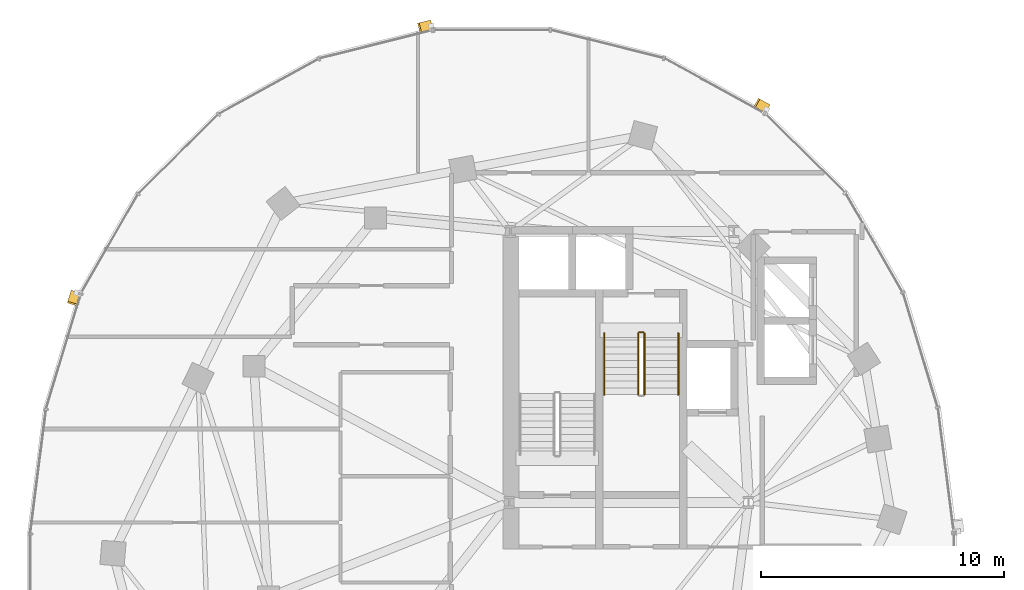
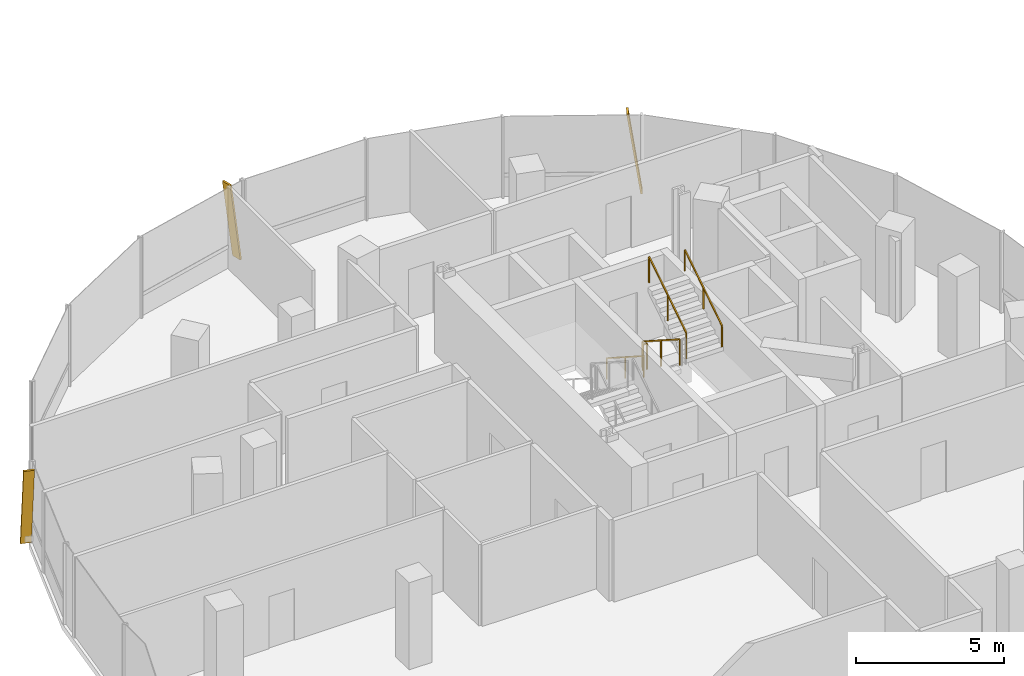
# One storey, part 20 of 22: 5 railings, 3 shading devices.
"""IFC4 building model written with IfcOpenShell, lengths in metres."""

from ifc_helpers import new_model, si_unit, direction, frame, origin, origin_2d, place, context, subcontext, project, spatial, rectangle, extrude, material, material_profile, profile_set, type_object, element, save


model = new_model("IFC4")

# Units and contexts
model_context = context("Model", 3, precision=1e-05, world=origin(), true_north=direction((0.0, 1.0)))
body_context = subcontext(model_context, "Body", "Model", "MODEL_VIEW")
ifc_project = project(units=[si_unit("LENGTHUNIT", "METRE"), si_unit("AREAUNIT", "SQUARE_METRE"), si_unit("VOLUMEUNIT", "CUBIC_METRE"), si_unit("PLANEANGLEUNIT", "RADIAN"), si_unit("MASSUNIT", "GRAM", prefix="KILO"), si_unit("THERMODYNAMICTEMPERATUREUNIT", "KELVIN"), si_unit("POWERUNIT", "WATT")], contexts=[model_context])

# Site, building, storey
site_placement = place(None, origin())
site = spatial("IfcSite", under=ifc_project, at=site_placement, CompositionType="ELEMENT")
building_placement = place(site_placement, origin())
building = spatial("IfcBuilding", under=site, at=building_placement, Name="Cundina Bronze Exchange", CompositionType="ELEMENT")
storey_placement = place(building_placement, frame((0.0, 0.0, 147.60009765625)))
storey = spatial("IfcBuildingStorey", under=building, at=storey_placement, Name="L38", CompositionType="ELEMENT", Elevation=147.60009765625)

# Railings
ifc_material_1 = material(Name="Steel ASTM A36 Painted", Category="steel")
railing_type_1 = type_object("IfcRailingType", Name="RLG-HND-900", PredefinedType="HANDRAIL", material=ifc_material_1)
railing_1_placement = place(storey_placement, frame((-27.389892578125, 10.85009765625, 0.179931640625)))
element("IfcRailing", 1, at=railing_1_placement, inside=storey, type_object=railing_type_1, Name="L38 ST-W2 stair handrail 1", PredefinedType="HANDRAIL", context=body_context, shape_type="SweptSolid", body=[
    extrude(rectangle(XDim=0.048095703125, YDim=0.048095703125, at=origin_2d()), frame((0.0, 0.0, 0.8759765625), z_axis=(0.0, -0.841199657755, 0.540724639528), x_axis=(1.0, 0.0, 0.0)), (0.0, 0.0, 1.0), 2.995849609375),
    extrude(rectangle(XDim=0.0419921875, YDim=0.0419921875, at=origin_2d()), origin(), (0.0, 0.0, 1.0), 0.851806640625),
    extrude(rectangle(XDim=0.0419921875, YDim=0.0419921875, at=origin_2d()), frame((0.0, -1.260009765625, 0.81005859375)), (0.0, 0.0, 1.0), 0.851806640625),
    extrude(rectangle(XDim=0.0419921875, YDim=0.0419921875, at=origin_2d()), frame((0.0, -2.52001953125, 1.619873046875)), (0.0, 0.0, 1.0), 0.851806640625),
])
railing_2_placement = place(storey_placement, frame((-24.330078125, 8.330078125, 1.97998046875)))
element("IfcRailing", 2, at=railing_2_placement, inside=storey, type_object=railing_type_1, Name="L38 ST-W2 stair handrail 2", PredefinedType="HANDRAIL", context=body_context, shape_type="SweptSolid", body=[
    extrude(rectangle(XDim=0.048095703125, YDim=0.048095703125, at=origin_2d()), frame((0.0, 0.0, 0.8759765625), z_axis=(0.0, 0.841199657755, 0.540724639528), x_axis=(-1.0, 0.0, 0.0)), (0.0, 0.0, 1.0), 2.995849609375),
    extrude(rectangle(XDim=0.0419921875, YDim=0.0419921875, at=origin_2d()), origin(), (0.0, 0.0, 1.0), 0.851806640625),
    extrude(rectangle(XDim=0.0419921875, YDim=0.0419921875, at=origin_2d()), frame((0.0, 1.260009765625, 0.81005859375)), (0.0, 0.0, 1.0), 0.851806640625),
    extrude(rectangle(XDim=0.0419921875, YDim=0.0419921875, at=origin_2d()), frame((0.0, 2.52001953125, 1.619873046875)), (0.0, 0.0, 1.0), 0.851806640625),
])
railing_type_2 = type_object("IfcRailingType", Name="RLG-STG-1100", PredefinedType="GUARDRAIL", material=ifc_material_1)
railing_3_placement = place(storey_placement, frame((-25.989990234375, 10.85009765625, 0.179931640625)))
element("IfcRailing", 3, at=railing_3_placement, inside=storey, type_object=railing_type_2, Name="L38 ST-W2 stair guard 1", PredefinedType="GUARDRAIL", context=body_context, shape_type="SweptSolid", body=[
    extrude(rectangle(XDim=0.048095703125, YDim=0.048095703125, at=origin_2d()), frame((0.0, 0.0, 1.076171875), z_axis=(0.0, -0.841199657755, 0.540724639528), x_axis=(1.0, 0.0, 0.0)), (0.0, 0.0, 1.0), 2.995849609375),
    extrude(rectangle(XDim=0.0419921875, YDim=0.0419921875, at=origin_2d()), origin(), (0.0, 0.0, 1.0), 1.052001953125),
    extrude(rectangle(XDim=0.0419921875, YDim=0.0419921875, at=origin_2d()), frame((0.0, -1.260009765625, 0.81005859375)), (0.0, 0.0, 1.0), 1.052001953125),
    extrude(rectangle(XDim=0.0419921875, YDim=0.0419921875, at=origin_2d()), frame((0.0, -2.52001953125, 1.619873046875)), (0.0, 0.0, 1.0), 1.052001953125),
])
railing_4_placement = place(storey_placement, frame((-25.72998046875, 8.330078125, 1.97998046875)))
element("IfcRailing", 4, at=railing_4_placement, inside=storey, type_object=railing_type_2, Name="L38 ST-W2 stair guard 3", PredefinedType="GUARDRAIL", context=body_context, shape_type="SweptSolid", body=[
    extrude(rectangle(XDim=0.048095703125, YDim=0.048095703125, at=origin_2d()), frame((0.0, 0.0, 1.076171875), z_axis=(0.0, 0.841199657755, 0.540724639528), x_axis=(-1.0, 0.0, 0.0)), (0.0, 0.0, 1.0), 2.995849609375),
    extrude(rectangle(XDim=0.0419921875, YDim=0.0419921875, at=origin_2d()), origin(), (0.0, 0.0, 1.0), 1.052001953125),
    extrude(rectangle(XDim=0.0419921875, YDim=0.0419921875, at=origin_2d()), frame((0.0, 1.260009765625, 0.81005859375)), (0.0, 0.0, 1.0), 1.052001953125),
    extrude(rectangle(XDim=0.0419921875, YDim=0.0419921875, at=origin_2d()), frame((0.0, 2.52001953125, 1.619873046875)), (0.0, 0.0, 1.0), 1.052001953125),
])
railing_5_placement = place(storey_placement, frame((-25.93994140625, 10.89990234375, 0.0)))
element("IfcRailing", 5, at=railing_5_placement, inside=storey, type_object=railing_type_2, Name="L38 ST-W2 stair guard 4", PredefinedType="GUARDRAIL", context=body_context, shape_type="SweptSolid", body=[
    extrude(rectangle(XDim=0.048095703125, YDim=0.048095703125, at=origin_2d()), frame((0.0, 0.0, 1.076171875), z_axis=(1.0, 0.0, 0.0), x_axis=(0.0, 1.0, 0.0)), (0.0, 0.0, 1.0), 0.159912109375),
    extrude(rectangle(XDim=0.0419921875, YDim=0.0419921875, at=origin_2d()), origin(), (0.0, 0.0, 1.0), 1.052001953125),
    extrude(rectangle(XDim=0.0419921875, YDim=0.0419921875, at=origin_2d()), frame((0.159912109375, 0.0, 0.0)), (0.0, 0.0, 1.0), 1.052001953125),
])

# Shading devices
ifc_material_2 = material(Name="Anodised Bronze Aluminium 6063-T6", Category="aluminium")
ifc_material_profile = material_profile(ifc_material_2, rectangle(XDim=0.070068359375, YDim=0.3798828125, at=origin_2d()), Name="FIN70X380", Category="aluminium")
ifc_profile_set = profile_set([ifc_material_profile], Name="Anodised Bronze Aluminium 6063-T6")
shading_device_type = type_object("IfcShadingDeviceType", Name="SHD-FIN-BRZ380", PredefinedType="USERDEFINED", material=ifc_profile_set)
for number, where, z_axis, x_axis, name in (
    (6, (-20.679931640625, 20.11181640625, 0.02001953125), (-0.125333488691, 0.068998924088, 0.989712415345), (0.867010347902, -0.477308832643, 0.143071083426), "L38 Diagonal Bronze Solar Fin 5"),
    (7, (-34.51953125, 23.556396484375, 0.02001953125), (-0.138798398751, -0.034717795597, 0.989711917263), (0.960131970194, 0.240158861973, 0.143074528925), "L38 Diagonal Bronze Solar Fin 1"),
    (8, (-49.151123046875, 12.5439453125, 0.02001953125), (-0.041486383227, -0.136977847776, 0.989704980904), (0.286882071994, 0.94721413946, 0.143122502684), "L38 Diagonal Bronze Solar Fin 5"),
):
    element("IfcShadingDevice", number, at=place(storey_placement, frame(where, z_axis=z_axis, x_axis=x_axis)), inside=storey, type_object=shading_device_type, Name=name, ObjectType="FIN", PredefinedType="USERDEFINED", context=body_context, shape_type="SweptSolid", body=[
        extrude(rectangle(XDim=0.070068359375, YDim=0.3798828125, at=origin_2d()), origin(), (0.0, 0.0, 1.0), 3.354248046875),
    ])

save(model, "model.ifc")
